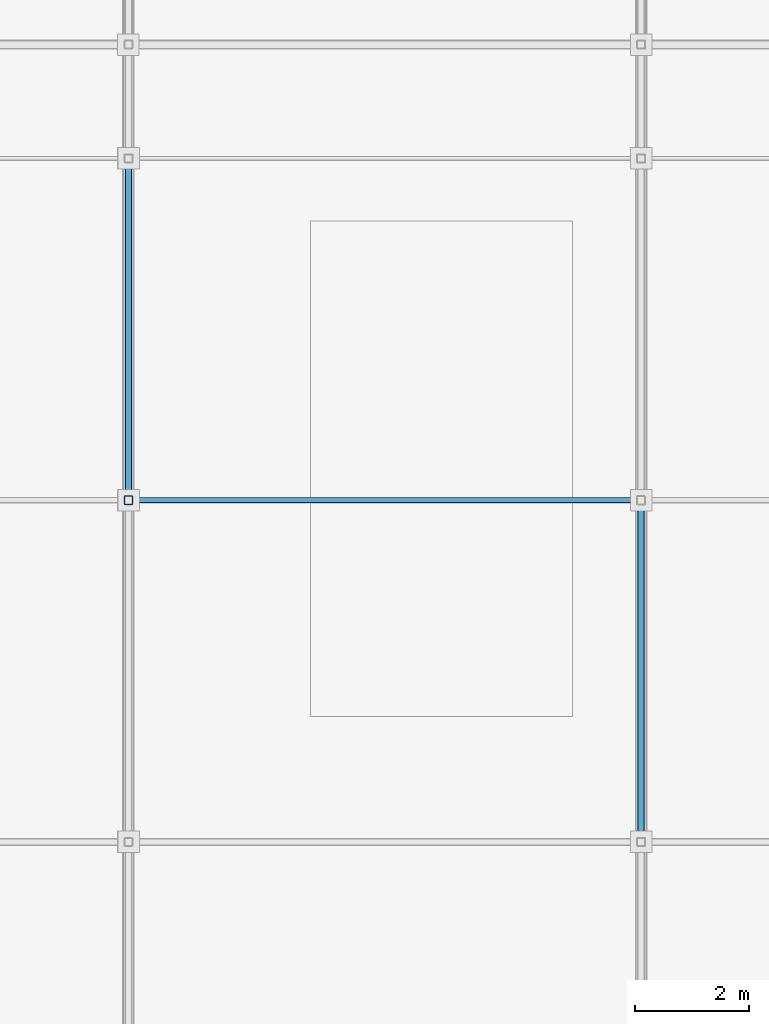
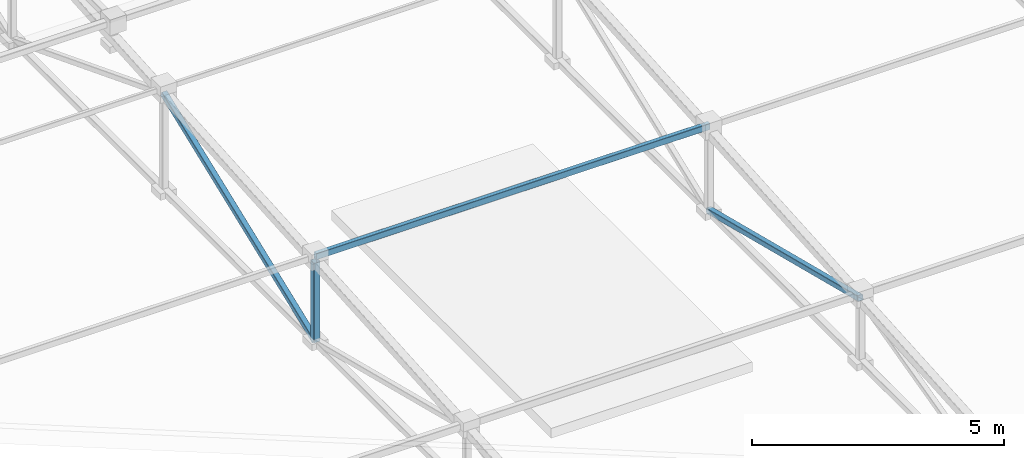
# One storey, part 19 of 85: 4 members.
"""IFC4 building model written with IfcOpenShell, lengths in metres."""

import ifcopenshell
import ifcopenshell.guid

model = None  # the IFC model being written
_history = None  # IfcOwnerHistory: only IFC2X3 demands one
_inside = {}  # id of a spatial element -> (the spatial element, [elements in it])
_under = {}  # id of a project, library or spatial element -> (it, [spatial elements below it])
_declared = {}  # id of a project -> (the project, [libraries it declares])
_typed = {}  # id of a type object -> (the type object, [elements of that type])
_made_of = {}  # id of a material, layer set ... -> (it, [elements and type objects made of it])


def new_model(schema):
    """Start an empty IFC model of exactly this schema.

    Asked for "IFC4X3", IfcOpenShell would pick the latest addendum, in which some entities
    have other attributes; the version numbers below select the first issue.
    IFC2X3 requires an IfcOwnerHistory on every rooted entity: one is made here for all.
    """
    global model, _history
    if schema == "IFC4X3":
        model = ifcopenshell.file(schema_version=(4, 3, 0, 0))
    else:
        model = ifcopenshell.file(schema=schema)
    _inside.clear()
    _under.clear()
    _declared.clear()
    _typed.clear()
    _made_of.clear()
    _history = None
    if model.schema == "IFC2X3":
        org = make("IfcOrganization", Name="unknown")
        user = make(
            "IfcPersonAndOrganization",
            ThePerson=make("IfcPerson", FamilyName="unknown"),
            TheOrganization=org,
        )
        app = make(
            "IfcApplication",
            ApplicationDeveloper=org,
            Version="unknown",
            ApplicationFullName="unknown",
            ApplicationIdentifier="unknown",
        )
        _history = make(
            "IfcOwnerHistory",
            OwningUser=user,
            OwningApplication=app,
            ChangeAction="ADDED",
            CreationDate=0,
        )
    return model


def make(cls, **values):
    """One entity of the class cls with the attributes given. An attribute that is None is left unset."""
    return model.create_entity(
        cls, **{name: value for name, value in values.items() if value is not None}
    )


def rooted(cls, **values):
    """An entity with a GlobalId (a new one), such as an element, a storey or a relation."""
    return make(cls, GlobalId=ifcopenshell.guid.new(), OwnerHistory=_history, **values)


def si_unit(unit_type, name, prefix=None):
    """IfcSIUnit, for example si_unit("LENGTHUNIT", "METRE", prefix="MILLI")."""
    return make("IfcSIUnit", UnitType=unit_type, Prefix=prefix, Name=name)


def assignment(units):
    """IfcUnitAssignment: the units of a project."""
    return None if units is None else make("IfcUnitAssignment", Units=units)


def point(xyz):
    """IfcCartesianPoint."""
    return None if xyz is None else make("IfcCartesianPoint", Coordinates=xyz)


def direction(xyz):
    """IfcDirection."""
    return None if xyz is None else make("IfcDirection", DirectionRatios=xyz)


def frame(location, z_axis=None, x_axis=None):
    """IfcAxis2Placement3D, a coordinate frame: its origin and axes. An axis left out is left unset."""
    return make(
        "IfcAxis2Placement3D",
        Location=point(location),
        Axis=direction(z_axis),
        RefDirection=direction(x_axis),
    )


def frame_2d(location, x_axis=None):
    """IfcAxis2Placement2D, a coordinate frame in the plane: its origin and x axis."""
    return make(
        "IfcAxis2Placement2D", Location=point(location), RefDirection=direction(x_axis)
    )


def origin():
    """The frame at (0, 0, 0) with its axes left unset."""
    return frame((0.0, 0.0, 0.0))


def origin_2d():
    """The frame at (0, 0) in the plane with its x axis left unset."""
    return frame_2d((0.0, 0.0))


def place(relative_to, where):
    """IfcLocalPlacement: puts the frame where relative to a parent placement (None: the world)."""
    return make(
        "IfcLocalPlacement", PlacementRelTo=relative_to, RelativePlacement=where
    )


def context(
    kind, dimensions, precision=None, world=None, true_north=None, identifier=None
):
    """IfcGeometricRepresentationContext, for example the 3D "Model" context."""
    return make(
        "IfcGeometricRepresentationContext",
        ContextIdentifier=identifier,
        ContextType=kind,
        CoordinateSpaceDimension=dimensions,
        Precision=precision,
        WorldCoordinateSystem=world,
        TrueNorth=true_north,
    )


def subcontext(parent, identifier, kind, view, scale=None):
    """IfcGeometricRepresentationSubContext, for example "Body" below "Model"."""
    return make(
        "IfcGeometricRepresentationSubContext",
        ContextIdentifier=identifier,
        ContextType=kind,
        ParentContext=parent,
        TargetScale=scale,
        TargetView=view,
    )


def project(units=None, contexts=None):
    """IfcProject with its units and contexts."""
    return rooted(
        "IfcProject",
        Name="project",
        RepresentationContexts=contexts,
        UnitsInContext=assignment(units),
    )


def spatial(cls, under=None, at=None, **own):
    """A site, building, storey or space (cls), placed at a placement, below another one or the project."""
    s = rooted(cls, ObjectPlacement=at, **own)
    if under is not None:
        _under.setdefault(under.id(), (under, []))[1].append(s)
    return s


def profile(cls, at=None, kind="AREA", **sizes):
    """A parametric profile (cls). Its sizes go by their IFC names, for example OverallWidth=200.0."""
    return make(cls, ProfileType=kind, Position=at, **sizes)


def hollow_rectangle(**sizes):
    """IfcRectangleHollowProfileDef."""
    return profile("IfcRectangleHollowProfileDef", **sizes)


def extrude(swept, where, along, depth):
    """IfcExtrudedAreaSolid: the profile swept, set in the frame where, extruded along a direction by depth."""
    return make(
        "IfcExtrudedAreaSolid",
        SweptArea=swept,
        Position=where,
        ExtrudedDirection=direction(along),
        Depth=depth,
    )


def shape(context_of_items, identifier, shape_type, items):
    """IfcShapeRepresentation: the items that make up one representation, for example the "Body"."""
    return make(
        "IfcShapeRepresentation",
        ContextOfItems=context_of_items,
        RepresentationIdentifier=identifier,
        RepresentationType=shape_type,
        Items=items,
    )


def material(Name=None, Category=None):
    """IfcMaterial."""
    return make("IfcMaterial", Name=Name, Category=Category)


def material_profile(
    of_material, cross_section, Name=None, Category=None, Priority=None
):
    """IfcMaterialProfile: a cross section and its material."""
    return make(
        "IfcMaterialProfile",
        Name=Name,
        Material=of_material,
        Profile=cross_section,
        Priority=Priority,
        Category=Category,
    )


def profile_set(profiles, Name=None, composite=None):
    """IfcMaterialProfileSet."""
    return make(
        "IfcMaterialProfileSet",
        Name=Name,
        MaterialProfiles=profiles,
        CompositeProfile=composite,
    )


def made_of(thing, what):
    """Note that an element or type object is made of a material, layer set ...; save() writes the relation."""
    if what is not None:
        _made_of.setdefault(what.id(), (what, []))[1].append(thing)
    return thing


def type_object(cls, material=None, **own):
    """A type object (cls), such as IfcWallType, which elements share."""
    return made_of(rooted(cls, **own), material)


def element(
    cls,
    number,
    at=None,
    inside=None,
    cuts=None,
    type_object=None,
    material=None,
    context=None,
    identifier="Body",
    shape_type=None,
    held_by="IfcProductDefinitionShape",
    body=None,
    shapes=None,
    **own,
):
    """One element of the class cls, such as IfcWall. Its Tag is "e" and its number.

    at: its placement. inside: the storey or other place that contains it. cuts: it is an
    opening in that element (IfcRelVoidsElement). A single representation is given by context,
    identifier, shape_type and body (its items); several are given by shapes. held_by: the class
    of the entity that holds the representations. save() writes the other relations.
    """
    e = rooted(cls, Tag="e%d" % number, ObjectPlacement=at, **own)
    if body is not None:
        shapes = [shape(context, identifier, shape_type, body)]
    if shapes is not None:
        e.Representation = make(held_by, Representations=shapes)
    if inside is not None:
        _inside.setdefault(inside.id(), (inside, []))[1].append(e)
    if cuts is not None:
        rooted(
            "IfcRelVoidsElement", RelatingBuildingElement=cuts, RelatedOpeningElement=e
        )
    if type_object is not None:
        _typed.setdefault(type_object.id(), (type_object, []))[1].append(e)
    return made_of(e, material)


def aggregate(whole, parts):
    """IfcRelAggregates: a whole, such as a stair, and the parts it consists of."""
    return rooted("IfcRelAggregates", RelatingObject=whole, RelatedObjects=parts)


def save(model, path):
    """Write the relations noted so far, then the file.

    IfcRelAggregates (storeys below a building ...), IfcRelContainedInSpatialStructure (elements
    in a storey), IfcRelDefinesByType, IfcRelAssociatesMaterial and IfcRelDeclares: one each for
    every whole, place, type object, material and project.
    """
    for whole, parts in _under.values():
        aggregate(whole, parts)
    for where, things in _inside.values():
        rooted(
            "IfcRelContainedInSpatialStructure",
            RelatedElements=things,
            RelatingStructure=where,
        )
    for kind, things in _typed.values():
        rooted("IfcRelDefinesByType", RelatedObjects=things, RelatingType=kind)
    for what, things in _made_of.values():
        rooted("IfcRelAssociatesMaterial", RelatedObjects=things, RelatingMaterial=what)
    for by, libraries in _declared.values():
        rooted("IfcRelDeclares", RelatingContext=by, RelatedDefinitions=libraries)
    model.write(path)


model = new_model("IFC4")

# Units and contexts
model_context = context("Model", 3, precision=1e-05, world=origin(), true_north=direction((0.0, 1.0)))
body_context = subcontext(model_context, "Body", "Model", "MODEL_VIEW")
ifc_project = project(units=[si_unit("LENGTHUNIT", "METRE"), si_unit("AREAUNIT", "SQUARE_METRE"), si_unit("VOLUMEUNIT", "CUBIC_METRE"), si_unit("PLANEANGLEUNIT", "RADIAN"), si_unit("MASSUNIT", "GRAM", prefix="KILO"), si_unit("THERMODYNAMICTEMPERATUREUNIT", "KELVIN"), si_unit("POWERUNIT", "WATT")], contexts=[model_context])

# Site, building, storey
site_placement = place(None, origin())
site = spatial("IfcSite", under=ifc_project, at=site_placement, CompositionType="ELEMENT")
building_placement = place(site_placement, origin())
building = spatial("IfcBuilding", under=site, at=building_placement, Name="Zelmaris Science Centre", CompositionType="ELEMENT")
storey_placement = place(building_placement, frame((0.0, 0.0, 20.39990234375)))
storey = spatial("IfcBuildingStorey", under=building, at=storey_placement, Name="L04", CompositionType="ELEMENT", Elevation=20.39990234375)

# Members
ifc_material = material(Name="Steel ASTM A500 Grade C", Category="steel")
ifc_material_profile_1 = material_profile(ifc_material, hollow_rectangle(XDim=0.1015625, YDim=0.15234375, WallThickness=0.005859375, InnerFilletRadius=0.005859375, OuterFilletRadius=0.01171875, at=origin_2d()), Name="HSS152X102X6")
ifc_profile_set_1 = profile_set([ifc_material_profile_1], Name="Steel ASTM A500 Grade C")
member_type_1 = type_object("IfcMemberType", Name="Roof Purlin PR-05 HSS152X102X6", PredefinedType="PURLIN", material=ifc_profile_set_1)
member_1_placement = place(storey_placement, frame((117.0, 20.0, 2.993408203125), z_axis=(1.0, 0.0, 0.0), x_axis=(0.0, 1.0, 0.0)))
element("IfcMember", 1, at=member_1_placement, inside=storey, type_object=member_type_1, Name="RF-V4 Roof purlin 11", PredefinedType="PURLIN", context=body_context, shape_type="SweptSolid", body=[
    extrude(hollow_rectangle(XDim=0.1015625, YDim=0.15234375, WallThickness=0.005859375, InnerFilletRadius=0.005859375, OuterFilletRadius=0.01171875, at=origin_2d()), origin(), (0.0, 0.0, 1.0), 9.0),
])
ifc_material_profile_2 = material_profile(ifc_material, hollow_rectangle(XDim=0.15234375, YDim=0.15234375, WallThickness=0.0087890625, InnerFilletRadius=0.0087890625, OuterFilletRadius=0.017822265625, at=origin_2d()), Name="HSS152X152X10")
ifc_profile_set_2 = profile_set([ifc_material_profile_2], Name="Steel ASTM A500 Grade C")
member_type_2 = type_object("IfcMemberType", Name="Structural Brace BR-03 HSS152X152X10", PredefinedType="BRACE", material=ifc_profile_set_2)
member_2_placement = place(storey_placement, frame((117.0, 20.0, 0.947998046875), z_axis=(0.0, 0.0, 1.0), x_axis=(1.0, 0.0, 0.0)))
element("IfcMember", 2, at=member_2_placement, inside=storey, type_object=member_type_2, Name="RF-V4 Roof truss 2 vertical web 2", PredefinedType="BRACE", context=body_context, shape_type="SweptSolid", body=[
    extrude(hollow_rectangle(XDim=0.15234375, YDim=0.15234375, WallThickness=0.0087890625, InnerFilletRadius=0.0087890625, OuterFilletRadius=0.017822265625, at=origin_2d()), origin(), (0.0, 0.0, 1.0), 1.9248046875),
])
ifc_material_profile_3 = material_profile(ifc_material, hollow_rectangle(XDim=0.126953125, YDim=0.126953125, WallThickness=0.00732421875, InnerFilletRadius=0.00732421875, OuterFilletRadius=0.014892578125, at=origin_2d()), Name="HSS127X127X8")
ifc_profile_set_3 = profile_set([ifc_material_profile_3], Name="Steel ASTM A500 Grade C")
member_type_3 = type_object("IfcMemberType", Name="Structural Brace BR-04 HSS127X127X8", PredefinedType="BRACE", material=ifc_profile_set_3)
member_3_placement = place(storey_placement, frame((117.0, 20.0, 0.947998046875), z_axis=(0.0, 0.93179104927, 0.362995097075), x_axis=(-1.0, 0.0, 0.0)))
element("IfcMember", 3, at=member_3_placement, inside=storey, type_object=member_type_3, Name="RF-V4 Roof truss 2 web diagonal 3", PredefinedType="BRACE", context=body_context, shape_type="SweptSolid", body=[
    extrude(hollow_rectangle(XDim=0.126953125, YDim=0.126953125, WallThickness=0.00732421875, InnerFilletRadius=0.00732421875, OuterFilletRadius=0.014892578125, at=origin_2d()), origin(), (0.0, 0.0, 1.0), 6.439208984375),
])
member_4_placement = place(storey_placement, frame((126.0, 14.0, 2.46044921875), z_axis=(0.0, 0.969667181253, -0.244429044102), x_axis=(-1.0, 0.0, 0.0)))
element("IfcMember", 4, at=member_4_placement, inside=storey, type_object=member_type_3, Name="RF-V4 Roof truss 3 web diagonal 2", PredefinedType="BRACE", context=body_context, shape_type="SweptSolid", body=[
    extrude(hollow_rectangle(XDim=0.126953125, YDim=0.126953125, WallThickness=0.00732421875, InnerFilletRadius=0.00732421875, OuterFilletRadius=0.014892578125, at=origin_2d()), origin(), (0.0, 0.0, 1.0), 6.187744140625),
])

save(model, "model.ifc")
